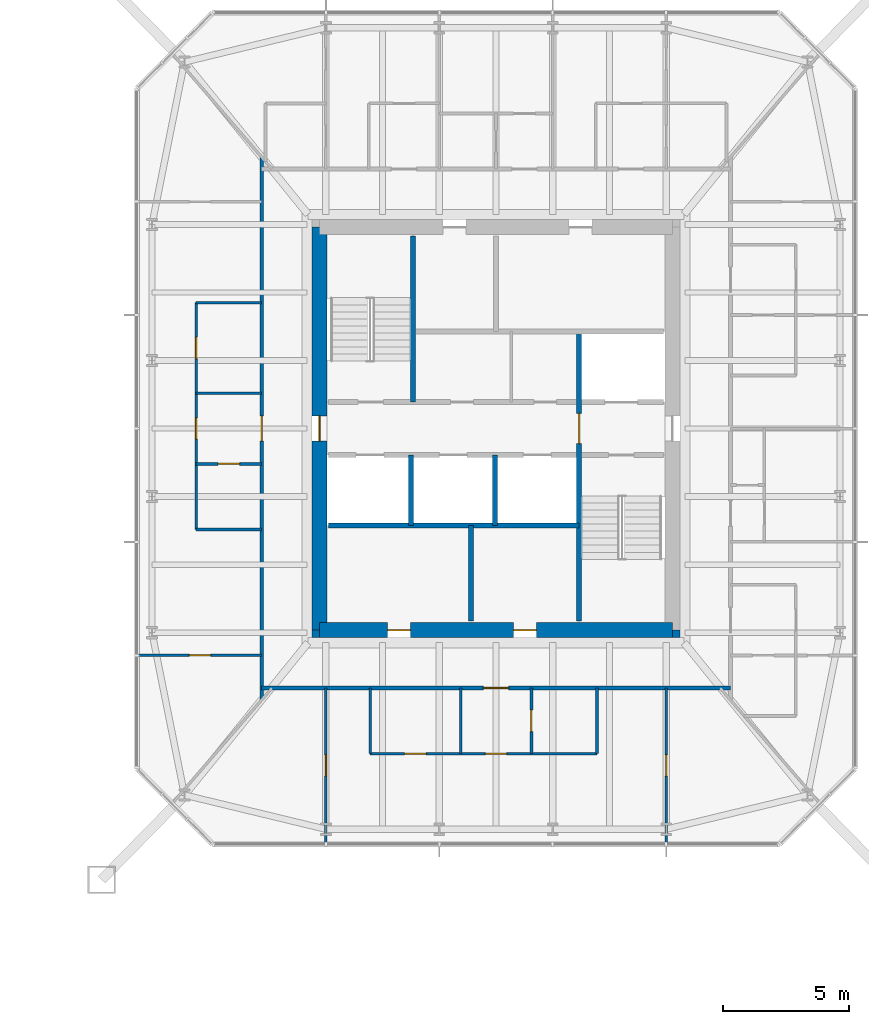
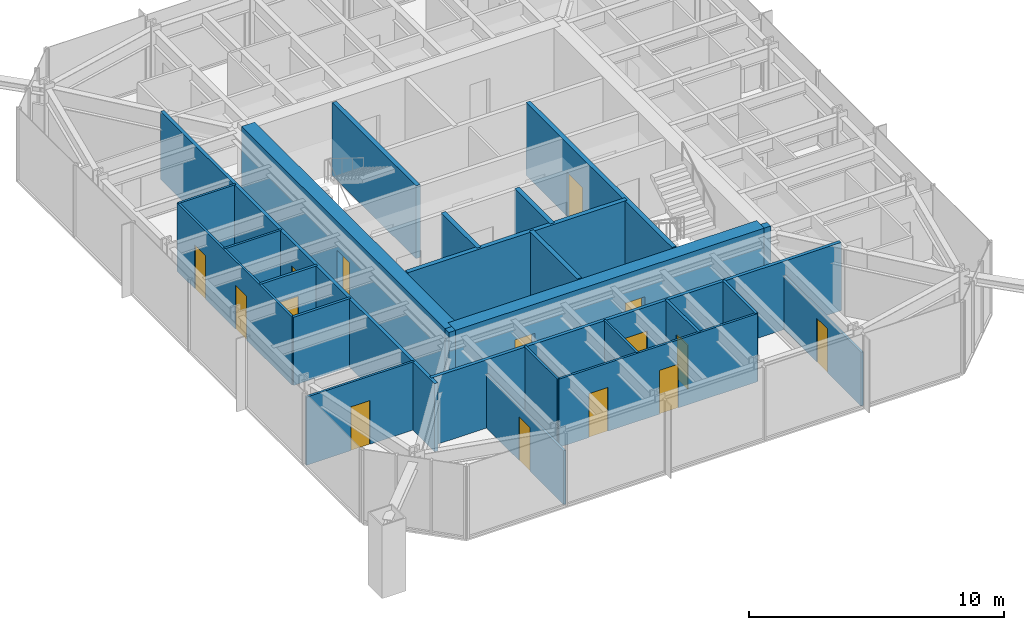
# One storey, part 19 of 27: 25 walls, 15 doors, 15 openings.
"""IFC4 building model written with IfcOpenShell, lengths in metres."""

from ifc_helpers import new_model, si_unit, direction, frame, frame_2d, origin, place, context, subcontext, project, spatial, rectangle, extrude, material, layer, layer_set, type_object, element, fill, save


model = new_model("IFC4")

# Units and contexts
model_context = context("Model", 3, precision=1e-05, world=origin(), true_north=direction((0.0, 1.0)))
body_context = subcontext(model_context, "Body", "Model", "MODEL_VIEW")
ifc_project = project(units=[si_unit("LENGTHUNIT", "METRE"), si_unit("AREAUNIT", "SQUARE_METRE"), si_unit("VOLUMEUNIT", "CUBIC_METRE"), si_unit("PLANEANGLEUNIT", "RADIAN"), si_unit("MASSUNIT", "GRAM", prefix="KILO")], contexts=[model_context])

# Site, building, storey
site_placement = place(None, origin())
site = spatial("IfcSite", under=ifc_project, at=site_placement, CompositionType="ELEMENT")
building_placement = place(site_placement, origin())
building = spatial("IfcBuilding", under=site, at=building_placement, Name="Iwan Alto Co-Living Towers", CompositionType="ELEMENT")
storey_placement = place(building_placement, frame((0.0, 0.0, 91.0)))
storey = spatial("IfcBuildingStorey", under=building, at=storey_placement, Name="L24", CompositionType="ELEMENT", Elevation=91.0)

# Wall, opening, door
ifc_material_1 = material(Name="Gypsum board")
ifc_layer_1 = layer(ifc_material_1, 0.02490234375, Name="Board", Category="Finish")
ifc_material_2 = material(Name="Steel ASTM A1003 ST33H cold-formed studs", Category="steel")
ifc_layer_2 = layer(ifc_material_2, 0.10009765625, Name="Studs", Category="Framing")
ifc_layer_3 = layer(ifc_material_1, 0.02490234375, Name="Board", Category="Finish")
ifc_layer_set_1 = layer_set([ifc_layer_1, ifc_layer_2, ifc_layer_3], Name="CORRIDOR WALL 150")
wall_type_1 = type_object("IfcWallType", Name="CORRIDOR WALL 150", PredefinedType="PARTITIONING", material=ifc_layer_set_1)
wall_1_placement = place(storey_placement, frame((53.699951171875, -10.300048828125, 0.0), z_axis=(0.0, 0.0, 1.0), x_axis=(1.0, 0.0, 0.0)))
wall_1 = element("IfcWall", 1, at=wall_1_placement, inside=storey, type_object=wall_type_1, Name="Partition L24", PredefinedType="PARTITIONING", context=body_context, shape_type="SweptSolid", body=[
    extrude(rectangle(XDim=18.60009765625, YDim=0.14990234375, at=frame_2d((9.300048828125, 0.0))), origin(), (0.0, 0.0, 1.0), 3.27001953125),
])
opening_1_placement = place(wall_1_placement, frame((8.800048828125, 0.0, 0.0)))
opening_1 = element("IfcOpeningElement", 2, at=opening_1_placement, cuts=wall_1, Name="Opening D3", PredefinedType="OPENING", context=body_context, shape_type="SweptSolid", body=[
    extrude(rectangle(XDim=1.0, YDim=2.10009765625, at=frame_2d((0.5, 1.050048828125))), frame((0.0, 0.0849609375, 0.0), z_axis=(0.0, -1.0, 0.0), x_axis=(1.0, 0.0, 0.0)), (0.0, 0.0, 1.0), 0.169921875),
])
ifc_material_3 = material(Name="Steel frame with timber leaf", Category="steel")
door_type_1 = type_object("IfcDoorType", Name="FLAT ENTRANCE DOOR FD30S 1000X2100", OperationType="SINGLE_SWING_LEFT", PredefinedType="DOOR", material=ifc_material_3)
door_1_placement = place(opening_1_placement, frame((1.0, 0.0, 0.0), z_axis=(0.0, 0.0, 1.0), x_axis=(-1.0, 0.0, 0.0)))
door_1 = element("IfcDoor", 3, at=door_1_placement, inside=storey, type_object=door_type_1, Name="Apartment foyer door L24", OperationType="SINGLE_SWING_RIGHT", OverallHeight=2.10009765625, OverallWidth=1.0, PredefinedType="DOOR", context=body_context, shape_type="SweptSolid", body=[
    extrude(rectangle(XDim=1.0, YDim=2.10009765625, at=frame_2d((0.5, 1.050048828125))), frame((0.0, 0.02490234375, 0.0), z_axis=(0.0, -1.0, 0.0), x_axis=(1.0, 0.0, 0.0)), (0.0, 0.0, 1.0), 0.050048828125),
])
fill(opening_1, door_1)

wall_2_placement = place(storey_placement, frame((53.699951171875, -10.76806640625, 0.0), z_axis=(0.0, 0.0, 1.0), x_axis=(0.0, 1.0, 0.0)))
wall_2 = element("IfcWall", 4, at=wall_2_placement, inside=storey, type_object=wall_type_1, Name="Partition L24", PredefinedType="PARTITIONING", context=body_context, shape_type="SweptSolid", body=[
    extrude(rectangle(XDim=21.5361328125, YDim=0.14990234375, at=frame_2d((10.76806640625, 0.0))), origin(), (0.0, 0.0, 1.0), 3.27001953125),
])
opening_2_placement = place(wall_2_placement, frame((10.26806640625, 0.0, 0.0)))
opening_2 = element("IfcOpeningElement", 5, at=opening_2_placement, cuts=wall_2, Name="Opening D3", PredefinedType="OPENING", context=body_context, shape_type="SweptSolid", body=[
    extrude(rectangle(XDim=1.0, YDim=2.10009765625, at=frame_2d((0.5, 1.050048828125))), frame((0.0, 0.0849609375, 0.0), z_axis=(0.0, -1.0, 0.0), x_axis=(1.0, 0.0, 0.0)), (0.0, 0.0, 1.0), 0.169921875),
])
door_2_placement = place(opening_2_placement, origin())
door_2 = element("IfcDoor", 6, at=door_2_placement, inside=storey, type_object=door_type_1, Name="Apartment foyer door L24", OperationType="SINGLE_SWING_LEFT", OverallHeight=2.10009765625, OverallWidth=1.0, PredefinedType="DOOR", context=body_context, shape_type="SweptSolid", body=[
    extrude(rectangle(XDim=1.0, YDim=2.10009765625, at=frame_2d((0.5, 1.050048828125))), frame((0.0, 0.02490234375, 0.0), z_axis=(0.0, -1.0, 0.0), x_axis=(1.0, 0.0, 0.0)), (0.0, 0.0, 1.0), 0.050048828125),
])
fill(opening_2, door_2)

# Wall, openings, doors
ifc_layer_4 = layer(ifc_material_1, 0.012451171875, Name="Board", Category="Finish")
ifc_layer_5 = layer(ifc_material_2, 0.074951171875, Name="Studs", Category="Framing")
ifc_layer_6 = layer(ifc_material_1, 0.012451171875, Name="Board", Category="Finish")
ifc_layer_set_2 = layer_set([ifc_layer_4, ifc_layer_5, ifc_layer_6], Name="PARTITION 100")
wall_type_2 = type_object("IfcWallType", Name="PARTITION 100", PredefinedType="PARTITIONING", material=ifc_layer_set_2)
wall_3_placement = place(storey_placement, frame((58.0, -12.89990234375, 0.0), z_axis=(0.0, 0.0, 1.0), x_axis=(1.0, 0.0, 0.0)))
wall_3 = element("IfcWall", 7, at=wall_3_placement, inside=storey, type_object=wall_type_2, Name="Partition L24", PredefinedType="PARTITIONING", context=body_context, shape_type="SweptSolid", body=[
    extrude(rectangle(XDim=9.0, YDim=0.10009765625, at=frame_2d((4.5, 0.0))), origin(), (0.0, 0.0, 1.0), 3.27001953125),
])
opening_3_placement = place(wall_3_placement, frame((1.375, 0.0, 0.0)))
opening_3 = element("IfcOpeningElement", 8, at=opening_3_placement, cuts=wall_3, Name="Opening D2", PredefinedType="OPENING", context=body_context, shape_type="SweptSolid", body=[
    extrude(rectangle(XDim=0.85009765625, YDim=2.10009765625, at=frame_2d((0.425048828125, 1.050048828125))), frame((0.0, 0.06005859375, 0.0), z_axis=(0.0, -1.0, 0.0), x_axis=(1.0, 0.0, 0.0)), (0.0, 0.0, 1.0), 0.1201171875),
])
opening_4_placement = place(wall_3_placement, frame((4.574951171875, 0.0, 0.0)))
opening_4 = element("IfcOpeningElement", 9, at=opening_4_placement, cuts=wall_3, Name="Opening D2", PredefinedType="OPENING", context=body_context, shape_type="SweptSolid", body=[
    extrude(rectangle(XDim=0.85009765625, YDim=2.10009765625, at=frame_2d((0.425048828125, 1.050048828125))), frame((0.0, 0.06005859375, 0.0), z_axis=(0.0, -1.0, 0.0), x_axis=(1.0, 0.0, 0.0)), (0.0, 0.0, 1.0), 0.1201171875),
])
ifc_material_4 = material(Name="Timber leaf in steel frame", Category="steel")
door_type_2 = type_object("IfcDoorType", Name="ROOM DOOR 850X2100", OperationType="SINGLE_SWING_LEFT", PredefinedType="DOOR", material=ifc_material_4)
door_3_placement = place(opening_3_placement, frame((0.85009765625, 0.0, 0.0), z_axis=(0.0, 0.0, 1.0), x_axis=(-1.0, 0.0, 0.0)))
door_3 = element("IfcDoor", 10, at=door_3_placement, inside=storey, type_object=door_type_2, Name="Kitchen door L24", OperationType="SINGLE_SWING_RIGHT", OverallHeight=2.10009765625, OverallWidth=0.85009765625, PredefinedType="DOOR", context=body_context, shape_type="SweptSolid", body=[
    extrude(rectangle(XDim=0.85009765625, YDim=2.10009765625, at=frame_2d((0.425048828125, 1.050048828125))), frame((0.0, 0.02490234375, 0.0), z_axis=(0.0, -1.0, 0.0), x_axis=(1.0, 0.0, 0.0)), (0.0, 0.0, 1.0), 0.050048828125),
])
fill(opening_3, door_3)
door_4_placement = place(opening_4_placement, frame((0.85009765625, 0.0, 0.0), z_axis=(0.0, 0.0, 1.0), x_axis=(-1.0, 0.0, 0.0)))
door_4 = element("IfcDoor", 11, at=door_4_placement, inside=storey, type_object=door_type_2, Name="Apartment foyer door L24", OperationType="SINGLE_SWING_RIGHT", OverallHeight=2.10009765625, OverallWidth=0.85009765625, PredefinedType="DOOR", context=body_context, shape_type="SweptSolid", body=[
    extrude(rectangle(XDim=0.85009765625, YDim=2.10009765625, at=frame_2d((0.425048828125, 1.050048828125))), frame((0.0, 0.02490234375, 0.0), z_axis=(0.0, -1.0, 0.0), x_axis=(1.0, 0.0, 0.0)), (0.0, 0.0, 1.0), 0.050048828125),
])
fill(opening_4, door_4)

# Wall, opening, door
wall_4_placement = place(storey_placement, frame((48.81005859375, -9.0, 0.0), z_axis=(0.0, 0.0, 1.0), x_axis=(1.0, 0.0, 0.0)))
wall_4 = element("IfcWall", 12, at=wall_4_placement, inside=storey, type_object=wall_type_2, Name="Partition L24", PredefinedType="PARTITIONING", context=body_context, shape_type="SweptSolid", body=[
    extrude(rectangle(XDim=4.889892578125, YDim=0.10009765625, at=frame_2d((2.44482421875, 0.0))), origin(), (0.0, 0.0, 1.0), 3.27001953125),
])
opening_5_placement = place(wall_4_placement, frame((2.02001953125, 0.0, 0.0)))
opening_5 = element("IfcOpeningElement", 13, at=opening_5_placement, cuts=wall_4, Name="Opening D2", PredefinedType="OPENING", context=body_context, shape_type="SweptSolid", body=[
    extrude(rectangle(XDim=0.85009765625, YDim=2.10009765625, at=frame_2d((0.425048828125, 1.050048828125))), frame((0.0, 0.06005859375, 0.0), z_axis=(0.0, -1.0, 0.0), x_axis=(1.0, 0.0, 0.0)), (0.0, 0.0, 1.0), 0.1201171875),
])
door_5_placement = place(opening_5_placement, origin())
door_5 = element("IfcDoor", 14, at=door_5_placement, inside=storey, type_object=door_type_2, Name="Bedroom door L24", OperationType="SINGLE_SWING_RIGHT", OverallHeight=2.10009765625, OverallWidth=0.85009765625, PredefinedType="DOOR", context=body_context, shape_type="SweptSolid", body=[
    extrude(rectangle(XDim=0.85009765625, YDim=2.10009765625, at=frame_2d((0.425048828125, 1.050048828125))), frame((0.0, 0.02490234375, 0.0), z_axis=(0.0, -1.0, 0.0), x_axis=(1.0, 0.0, 0.0)), (0.0, 0.0, 1.0), 0.050048828125),
])
fill(opening_5, door_5)

# Walls
for number, where, z_axis, x_axis, name in (
    (15, (51.10009765625, 1.39990234375, 0.0), (0.0, 0.0, 1.0), (1.0, 0.0, 0.0), "Partition L24"),
    (16, (51.10009765625, 5.0, 0.0), (0.0, 0.0, 1.0), (1.0, 0.0, 0.0), "Partition L24"),
):
    element("IfcWall", number, at=place(storey_placement, frame(where, z_axis=z_axis, x_axis=x_axis)), inside=storey, type_object=wall_type_2, Name=name, PredefinedType="PARTITIONING", context=body_context, shape_type="SweptSolid", body=[
        extrude(rectangle(XDim=2.599853515625, YDim=0.10009765625, at=frame_2d((1.2998046875, 0.0))), origin(), (0.0, 0.0, 1.0), 3.27001953125),
    ])

# Wall, opening, door
wall_5_placement = place(storey_placement, frame((69.75, -16.43994140625, 0.0), z_axis=(0.0, 0.0, 1.0), x_axis=(0.0, 1.0, 0.0)))
wall_5 = element("IfcWall", 17, at=wall_5_placement, inside=storey, type_object=wall_type_2, Name="Partition L24", PredefinedType="PARTITIONING", context=body_context, shape_type="SweptSolid", body=[
    extrude(rectangle(XDim=6.139892578125, YDim=0.10009765625, at=frame_2d((3.06982421875, 0.0))), origin(), (0.0, 0.0, 1.0), 2.586669921875),
])
opening_6_placement = place(wall_5_placement, frame((2.64501953125, 0.0, 0.0)))
opening_6 = element("IfcOpeningElement", 18, at=opening_6_placement, cuts=wall_5, Name="Opening D2", PredefinedType="OPENING", context=body_context, shape_type="SweptSolid", body=[
    extrude(rectangle(XDim=0.85009765625, YDim=2.10009765625, at=frame_2d((0.425048828125, 1.050048828125))), frame((0.0, 0.06005859375, 0.0), z_axis=(0.0, -1.0, 0.0), x_axis=(1.0, 0.0, 0.0)), (0.0, 0.0, 1.0), 0.1201171875),
])
door_6_placement = place(opening_6_placement, origin())
door_6 = element("IfcDoor", 19, at=door_6_placement, inside=storey, type_object=door_type_2, Name="Bedroom door L24", OperationType="SINGLE_SWING_RIGHT", OverallHeight=2.10009765625, OverallWidth=0.85009765625, PredefinedType="DOOR", context=body_context, shape_type="SweptSolid", body=[
    extrude(rectangle(XDim=0.85009765625, YDim=2.10009765625, at=frame_2d((0.425048828125, 1.050048828125))), frame((0.0, 0.02490234375, 0.0), z_axis=(0.0, -1.0, 0.0), x_axis=(1.0, 0.0, 0.0)), (0.0, 0.0, 1.0), 0.050048828125),
])
fill(opening_6, door_6)

# Walls
for number, where, z_axis, x_axis, name in (
    (20, (61.60009765625, -12.89990234375, 0.0), (0.0, 0.0, 1.0), (0.0, 1.0, 0.0), "Partition L24"),
    (21, (58.0, -12.89990234375, 0.0), (0.0, 0.0, 1.0), (0.0, 1.0, 0.0), "Partition L24"),
):
    element("IfcWall", number, at=place(storey_placement, frame(where, z_axis=z_axis, x_axis=x_axis)), inside=storey, type_object=wall_type_2, Name=name, PredefinedType="PARTITIONING", context=body_context, shape_type="SweptSolid", body=[
        extrude(rectangle(XDim=2.599853515625, YDim=0.10009765625, at=frame_2d((1.2998046875, 0.0))), origin(), (0.0, 0.0, 1.0), 3.27001953125),
    ])

# Wall, opening, door
wall_6_placement = place(storey_placement, frame((56.25, -16.43994140625, 0.0), z_axis=(0.0, 0.0, 1.0), x_axis=(0.0, 1.0, 0.0)))
wall_6 = element("IfcWall", 22, at=wall_6_placement, inside=storey, type_object=wall_type_2, Name="Partition L24", PredefinedType="PARTITIONING", context=body_context, shape_type="SweptSolid", body=[
    extrude(rectangle(XDim=6.139892578125, YDim=0.10009765625, at=frame_2d((3.06982421875, 0.0))), origin(), (0.0, 0.0, 1.0), 2.586669921875),
])
opening_7_placement = place(wall_6_placement, frame((2.64501953125, 0.0, 0.0)))
opening_7 = element("IfcOpeningElement", 23, at=opening_7_placement, cuts=wall_6, Name="Opening D2", PredefinedType="OPENING", context=body_context, shape_type="SweptSolid", body=[
    extrude(rectangle(XDim=0.85009765625, YDim=2.10009765625, at=frame_2d((0.425048828125, 1.050048828125))), frame((0.0, 0.06005859375, 0.0), z_axis=(0.0, -1.0, 0.0), x_axis=(1.0, 0.0, 0.0)), (0.0, 0.0, 1.0), 0.1201171875),
])
door_7_placement = place(opening_7_placement, frame((0.85009765625, 0.0, 0.0), z_axis=(0.0, 0.0, 1.0), x_axis=(-1.0, 0.0, 0.0)))
door_7 = element("IfcDoor", 24, at=door_7_placement, inside=storey, type_object=door_type_2, Name="Bedroom door L24", OperationType="SINGLE_SWING_LEFT", OverallHeight=2.10009765625, OverallWidth=0.85009765625, PredefinedType="DOOR", context=body_context, shape_type="SweptSolid", body=[
    extrude(rectangle(XDim=0.85009765625, YDim=2.10009765625, at=frame_2d((0.425048828125, 1.050048828125))), frame((0.0, 0.02490234375, 0.0), z_axis=(0.0, -1.0, 0.0), x_axis=(1.0, 0.0, 0.0)), (0.0, 0.0, 1.0), 0.050048828125),
])
fill(opening_7, door_7)

# Wall, openings, doors
wall_7_placement = place(storey_placement, frame((51.10009765625, -4.0, 0.0), z_axis=(0.0, 0.0, 1.0), x_axis=(0.0, 1.0, 0.0)))
wall_7 = element("IfcWall", 25, at=wall_7_placement, inside=storey, type_object=wall_type_2, Name="Partition L24", PredefinedType="PARTITIONING", context=body_context, shape_type="SweptSolid", body=[
    extrude(rectangle(XDim=9.0, YDim=0.10009765625, at=frame_2d((4.5, 0.0))), origin(), (0.0, 0.0, 1.0), 3.27001953125),
])
opening_8_placement = place(wall_7_placement, frame((6.77490234375, 0.0, 0.0)))
opening_8 = element("IfcOpeningElement", 26, at=opening_8_placement, cuts=wall_7, Name="Opening D2", PredefinedType="OPENING", context=body_context, shape_type="SweptSolid", body=[
    extrude(rectangle(XDim=0.85009765625, YDim=2.10009765625, at=frame_2d((0.425048828125, 1.050048828125))), frame((0.0, 0.06005859375, 0.0), z_axis=(0.0, -1.0, 0.0), x_axis=(1.0, 0.0, 0.0)), (0.0, 0.0, 1.0), 0.1201171875),
])
opening_9_placement = place(wall_7_placement, frame((3.574951171875, 0.0, 0.0)))
opening_9 = element("IfcOpeningElement", 27, at=opening_9_placement, cuts=wall_7, Name="Opening D2", PredefinedType="OPENING", context=body_context, shape_type="SweptSolid", body=[
    extrude(rectangle(XDim=0.85009765625, YDim=2.10009765625, at=frame_2d((0.425048828125, 1.050048828125))), frame((0.0, 0.06005859375, 0.0), z_axis=(0.0, -1.0, 0.0), x_axis=(1.0, 0.0, 0.0)), (0.0, 0.0, 1.0), 0.1201171875),
])
door_8_placement = place(opening_8_placement, origin())
door_8 = element("IfcDoor", 28, at=door_8_placement, inside=storey, type_object=door_type_2, Name="Kitchen door L24", OperationType="SINGLE_SWING_RIGHT", OverallHeight=2.10009765625, OverallWidth=0.85009765625, PredefinedType="DOOR", context=body_context, shape_type="SweptSolid", body=[
    extrude(rectangle(XDim=0.85009765625, YDim=2.10009765625, at=frame_2d((0.425048828125, 1.050048828125))), frame((0.0, 0.02490234375, 0.0), z_axis=(0.0, -1.0, 0.0), x_axis=(1.0, 0.0, 0.0)), (0.0, 0.0, 1.0), 0.050048828125),
])
fill(opening_8, door_8)
door_9_placement = place(opening_9_placement, origin())
door_9 = element("IfcDoor", 29, at=door_9_placement, inside=storey, type_object=door_type_2, Name="Apartment foyer door L24", OperationType="SINGLE_SWING_LEFT", OverallHeight=2.10009765625, OverallWidth=0.85009765625, PredefinedType="DOOR", context=body_context, shape_type="SweptSolid", body=[
    extrude(rectangle(XDim=0.85009765625, YDim=2.10009765625, at=frame_2d((0.425048828125, 1.050048828125))), frame((0.0, 0.02490234375, 0.0), z_axis=(0.0, -1.0, 0.0), x_axis=(1.0, 0.0, 0.0)), (0.0, 0.0, 1.0), 0.050048828125),
])
fill(opening_9, door_9)

# Wall
ifc_material_5 = material(Name="Concrete f'c 70 MPa", Category="concrete")
ifc_layer_7 = layer(ifc_material_5, 0.199951171875)
ifc_layer_set_3 = layer_set([ifc_layer_7], Name="SHAFT WALL 200")
wall_type_3 = type_object("IfcWallType", Name="SHAFT WALL 200", PredefinedType="SOLIDWALL", material=ifc_layer_set_3)
wall_8_placement = place(storey_placement, frame((56.360107421875, -3.85009765625, 0.0), z_axis=(0.0, 0.0, 1.0), x_axis=(1.0, 0.0, 0.0)))
element("IfcWall", 30, at=wall_8_placement, inside=storey, type_object=wall_type_3, Name="Shaft wall L24", PredefinedType="SOLIDWALL", context=body_context, shape_type="SweptSolid", body=[
    extrude(rectangle(XDim=9.93994140625, YDim=0.199951171875, at=frame_2d((4.969970703125, 0.0))), origin(), (0.0, 0.0, 1.0), 3.5),
])

# Wall, opening, door
wall_9_placement = place(storey_placement, frame((66.300048828125, -7.639892578125, 0.0), z_axis=(0.0, 0.0, 1.0), x_axis=(0.0, 1.0, 0.0)))
wall_9 = element("IfcWall", 31, at=wall_9_placement, inside=storey, type_object=wall_type_3, Name="Shaft wall L24", PredefinedType="SOLIDWALL", context=body_context, shape_type="SweptSolid", body=[
    extrude(rectangle(XDim=11.489990234375, YDim=0.199951171875, at=frame_2d((5.7451171875, 0.0))), origin(), (0.0, 0.0, 1.0), 3.5),
])
opening_10_placement = place(wall_9_placement, frame((7.0400390625, 0.0, 0.0)))
opening_10 = element("IfcOpeningElement", 32, at=opening_10_placement, cuts=wall_9, Name="Opening D6", PredefinedType="OPENING", context=body_context, shape_type="SweptSolid", body=[
    extrude(rectangle(XDim=1.199951171875, YDim=2.10009765625, at=frame_2d((0.60009765625, 1.050048828125))), frame((0.0, 0.10986328125, 0.0), z_axis=(0.0, -1.0, 0.0), x_axis=(1.0, 0.0, 0.0)), (0.0, 0.0, 1.0), 0.219970703125),
])
ifc_material_6 = material(Name="Steel frame with timber leaf", Category="steel")
door_type_3 = type_object("IfcDoorType", Name="LOBBY DOOR FD120S 1200X2100", OperationType="SINGLE_SWING_LEFT", PredefinedType="DOOR", material=ifc_material_6)
door_10_placement = place(opening_10_placement, frame((1.199951171875, 0.0, 0.0), z_axis=(0.0, 0.0, 1.0), x_axis=(-1.0, 0.0, 0.0)))
door_10 = element("IfcDoor", 33, at=door_10_placement, inside=storey, type_object=door_type_3, Name="Firefighting lobby door L24", OperationType="SINGLE_SWING_RIGHT", OverallHeight=2.10009765625, OverallWidth=1.199951171875, PredefinedType="DOOR", context=body_context, shape_type="SweptSolid", body=[
    extrude(rectangle(XDim=1.199951171875, YDim=2.10009765625, at=frame_2d((0.60009765625, 1.050048828125))), frame((0.0, 0.02490234375, 0.0), z_axis=(0.0, -1.0, 0.0), x_axis=(1.0, 0.0, 0.0)), (0.0, 0.0, 1.0), 0.050048828125),
])
fill(opening_10, door_10)

# Walls
wall_10_placement = place(storey_placement, frame((62.967041015625, -3.85009765625, 0.0), z_axis=(0.0, 0.0, 1.0), x_axis=(0.0, 1.0, 0.0)))
element("IfcWall", 34, at=wall_10_placement, inside=storey, type_object=wall_type_3, Name="Shaft wall L24", PredefinedType="SOLIDWALL", context=body_context, shape_type="SweptSolid", body=[
    extrude(rectangle(XDim=2.800048828125, YDim=0.199951171875, at=frame_2d((1.39990234375, 0.0))), origin(), (0.0, 0.0, 1.0), 3.5),
])
wall_11_placement = place(storey_placement, frame((62.0, -7.639892578125, 0.0), z_axis=(0.0, 0.0, 1.0), x_axis=(0.0, 1.0, 0.0)))
element("IfcWall", 35, at=wall_11_placement, inside=storey, type_object=wall_type_3, Name="Shaft wall L24", PredefinedType="SOLIDWALL", context=body_context, shape_type="SweptSolid", body=[
    extrude(rectangle(XDim=3.789794921875, YDim=0.199951171875, at=frame_2d((1.89501953125, 0.0))), origin(), (0.0, 0.0, 1.0), 3.5),
])
wall_12_placement = place(storey_placement, frame((59.699951171875, 1.050048828125, 0.0), z_axis=(0.0, 0.0, 1.0), x_axis=(0.0, 1.0, 0.0)))
element("IfcWall", 36, at=wall_12_placement, inside=storey, type_object=wall_type_3, Name="Shaft wall L24", PredefinedType="SOLIDWALL", context=body_context, shape_type="SweptSolid", body=[
    extrude(rectangle(XDim=6.58984375, YDim=0.199951171875, at=frame_2d((3.294921875, 0.0))), origin(), (0.0, 0.0, 1.0), 3.5),
])
wall_13_placement = place(storey_placement, frame((59.633056640625, -3.85009765625, 0.0), z_axis=(0.0, 0.0, 1.0), x_axis=(0.0, 1.0, 0.0)))
element("IfcWall", 37, at=wall_13_placement, inside=storey, type_object=wall_type_3, Name="Shaft wall L24", PredefinedType="SOLIDWALL", context=body_context, shape_type="SweptSolid", body=[
    extrude(rectangle(XDim=2.800048828125, YDim=0.199951171875, at=frame_2d((1.39990234375, 0.0))), origin(), (0.0, 0.0, 1.0), 3.5),
])
ifc_material_7 = material(Name="Concrete f'c 70 MPa", Category="concrete")
ifc_layer_8 = layer(ifc_material_7, 0.300048828125)
ifc_layer_set_4 = layer_set([ifc_layer_8], Name="T2 CORE CORNER FILL 300")
wall_type_4 = type_object("IfcWallType", Name="T2 CORE CORNER FILL 300", PredefinedType="SOLIDWALL", material=ifc_layer_set_4)
for number, where, z_axis, x_axis, name in (
    (38, (55.699951171875, -8.14990234375, 0.0), (0.0, 0.0, 1.0), (1.0, 0.0, 0.0), "T2 core corner SW L24"),
    (39, (70.0, -8.14990234375, 0.0), (0.0, 0.0, 1.0), (1.0, 0.0, 0.0), "T2 core corner SE L24"),
):
    element("IfcWall", number, at=place(storey_placement, frame(where, z_axis=z_axis, x_axis=x_axis)), inside=storey, type_object=wall_type_4, Name=name, PredefinedType="SOLIDWALL", context=body_context, shape_type="SweptSolid", body=[
        extrude(rectangle(XDim=0.300048828125, YDim=0.300048828125, at=frame_2d((0.14990234375, 0.0))), origin(), (0.0, 0.0, 1.0), 3.5),
    ])

# Wall, openings, doors
ifc_material_8 = material(Name="Concrete f'c 70 MPa", Category="concrete")
ifc_layer_9 = layer(ifc_material_8, 0.60009765625)
ifc_layer_set_5 = layer_set([ifc_layer_9], Name="T2 CORE WALL 600")
wall_type_5 = type_object("IfcWallType", Name="T2 CORE WALL 600", PredefinedType="SHEAR", material=ifc_layer_set_5)
wall_14_placement = place(storey_placement, frame((56.0, -8.0, 0.0), z_axis=(0.0, 0.0, 1.0), x_axis=(1.0, 0.0, 0.0)))
wall_14 = element("IfcWall", 40, at=wall_14_placement, inside=storey, type_object=wall_type_5, Name="T2 core wall S L24", PredefinedType="SHEAR", context=body_context, shape_type="SweptSolid", body=[
    extrude(rectangle(XDim=14.0, YDim=0.60009765625, at=frame_2d((7.0, 0.0))), origin(), (0.0, 0.0, 1.0), 3.5),
])
opening_11_placement = place(wall_14_placement, frame((2.699951171875, 0.0, 0.0)))
opening_11 = element("IfcOpeningElement", 41, at=opening_11_placement, cuts=wall_14, Name="Opening D8", PredefinedType="OPENING", context=body_context, shape_type="SweptSolid", body=[
    extrude(rectangle(XDim=0.89990234375, YDim=2.10009765625, at=frame_2d((0.449951171875, 1.050048828125))), frame((0.0, 0.31005859375, 0.0), z_axis=(0.0, -1.0, 0.0), x_axis=(1.0, 0.0, 0.0)), (0.0, 0.0, 1.0), 0.6201171875),
])
opening_12_placement = place(wall_14_placement, frame((7.699951171875, 0.0, 0.0)))
opening_12 = element("IfcOpeningElement", 42, at=opening_12_placement, cuts=wall_14, Name="Opening D8", PredefinedType="OPENING", context=body_context, shape_type="SweptSolid", body=[
    extrude(rectangle(XDim=0.89990234375, YDim=2.10009765625, at=frame_2d((0.449951171875, 1.050048828125))), frame((0.0, 0.31005859375, 0.0), z_axis=(0.0, -1.0, 0.0), x_axis=(1.0, 0.0, 0.0)), (0.0, 0.0, 1.0), 0.6201171875),
])
ifc_material_9 = material(Name="Steel frame with timber leaf", Category="steel")
door_type_4 = type_object("IfcDoorType", Name="RISER DOOR FD120 900X2100", OperationType="SINGLE_SWING_LEFT", PredefinedType="DOOR", material=ifc_material_9)
door_11_placement = place(opening_11_placement, origin())
door_11 = element("IfcDoor", 43, at=door_11_placement, inside=storey, type_object=door_type_4, Name="Refuse room core door L24", OperationType="SINGLE_SWING_LEFT", OverallHeight=2.10009765625, OverallWidth=0.89990234375, PredefinedType="DOOR", context=body_context, shape_type="SweptSolid", body=[
    extrude(rectangle(XDim=0.89990234375, YDim=2.10009765625, at=frame_2d((0.449951171875, 1.050048828125))), frame((0.0, 0.02490234375, 0.0), z_axis=(0.0, -1.0, 0.0), x_axis=(1.0, 0.0, 0.0)), (0.0, 0.0, 1.0), 0.050048828125),
])
fill(opening_11, door_11)
door_12_placement = place(opening_12_placement, origin())
door_12 = element("IfcDoor", 44, at=door_12_placement, inside=storey, type_object=door_type_4, Name="Telecom riser core door L24", OperationType="SINGLE_SWING_LEFT", OverallHeight=2.10009765625, OverallWidth=0.89990234375, PredefinedType="DOOR", context=body_context, shape_type="SweptSolid", body=[
    extrude(rectangle(XDim=0.89990234375, YDim=2.10009765625, at=frame_2d((0.449951171875, 1.050048828125))), frame((0.0, 0.02490234375, 0.0), z_axis=(0.0, -1.0, 0.0), x_axis=(1.0, 0.0, 0.0)), (0.0, 0.0, 1.0), 0.050048828125),
])
fill(opening_12, door_12)

# Wall, opening, door
wall_15_placement = place(storey_placement, frame((56.0, 8.0, 0.0), z_axis=(0.0, 0.0, 1.0), x_axis=(0.0, -1.0, 0.0)))
wall_15 = element("IfcWall", 45, at=wall_15_placement, inside=storey, type_object=wall_type_5, Name="T2 core wall W L24", PredefinedType="SHEAR", context=body_context, shape_type="SweptSolid", body=[
    extrude(rectangle(XDim=16.0, YDim=0.60009765625, at=frame_2d((8.0, 0.0))), origin(), (0.0, 0.0, 1.0), 3.5),
])
opening_13_placement = place(wall_15_placement, frame((7.5, 0.0, 0.0)))
opening_13 = element("IfcOpeningElement", 46, at=opening_13_placement, cuts=wall_15, Name="Opening D7", PredefinedType="OPENING", context=body_context, shape_type="SweptSolid", body=[
    extrude(rectangle(XDim=1.0, YDim=2.10009765625, at=frame_2d((0.5, 1.050048828125))), frame((0.0, 0.31005859375, 0.0), z_axis=(0.0, -1.0, 0.0), x_axis=(1.0, 0.0, 0.0)), (0.0, 0.0, 1.0), 0.6201171875),
])
ifc_material_10 = material(Name="Steel frame with timber leaf", Category="steel")
door_type_5 = type_object("IfcDoorType", Name="CORE DOOR FD120S 1000X2100", OperationType="SINGLE_SWING_LEFT", PredefinedType="DOOR", material=ifc_material_10)
door_13_placement = place(opening_13_placement, origin())
door_13 = element("IfcDoor", 47, at=door_13_placement, inside=storey, type_object=door_type_5, Name="Lift lobby core door L24", OperationType="SINGLE_SWING_RIGHT", OverallHeight=2.10009765625, OverallWidth=1.0, PredefinedType="DOOR", context=body_context, shape_type="SweptSolid", body=[
    extrude(rectangle(XDim=1.0, YDim=2.10009765625, at=frame_2d((0.5, 1.050048828125))), frame((0.0, 0.02490234375, 0.0), z_axis=(0.0, -1.0, 0.0), x_axis=(1.0, 0.0, 0.0)), (0.0, 0.0, 1.0), 0.050048828125),
])
fill(opening_13, door_13)

# Wall
ifc_material_11 = material(Name="Cement board")
ifc_layer_10 = layer(ifc_material_11, 0.012451171875, Name="Board", Category="Finish")
ifc_layer_11 = layer(ifc_material_2, 0.094970703125, Name="Studs", Category="Framing")
ifc_layer_12 = layer(ifc_material_11, 0.012451171875, Name="Board", Category="Finish")
ifc_layer_set_6 = layer_set([ifc_layer_10, ifc_layer_11, ifc_layer_12], Name="WET AREA PARTITION 120")
wall_type_6 = type_object("IfcWallType", Name="WET AREA PARTITION 120", PredefinedType="PARTITIONING", material=ifc_layer_set_6)
wall_16_placement = place(storey_placement, frame((51.10009765625, -4.0, 0.0), z_axis=(0.0, 0.0, 1.0), x_axis=(1.0, 0.0, 0.0)))
element("IfcWall", 48, at=wall_16_placement, inside=storey, type_object=wall_type_6, Name="Partition L24", PredefinedType="PARTITIONING", context=body_context, shape_type="SweptSolid", body=[
    extrude(rectangle(XDim=2.599853515625, YDim=0.1201171875, at=frame_2d((1.2998046875, 0.0))), origin(), (0.0, 0.0, 1.0), 3.27001953125),
])

# Wall, opening, door
wall_17_placement = place(storey_placement, frame((51.10009765625, -1.39990234375, 0.0), z_axis=(0.0, 0.0, 1.0), x_axis=(1.0, 0.0, 0.0)))
wall_17 = element("IfcWall", 49, at=wall_17_placement, inside=storey, type_object=wall_type_6, Name="Partition L24", PredefinedType="PARTITIONING", context=body_context, shape_type="SweptSolid", body=[
    extrude(rectangle(XDim=2.599853515625, YDim=0.1201171875, at=frame_2d((1.2998046875, 0.0))), origin(), (0.0, 0.0, 1.0), 3.27001953125),
])
opening_14_placement = place(wall_17_placement, frame((0.875, 0.0, 0.0)))
opening_14 = element("IfcOpeningElement", 50, at=opening_14_placement, cuts=wall_17, Name="Opening D2", PredefinedType="OPENING", context=body_context, shape_type="SweptSolid", body=[
    extrude(rectangle(XDim=0.85009765625, YDim=2.10009765625, at=frame_2d((0.425048828125, 1.050048828125))), frame((0.0, 0.070068359375, 0.0), z_axis=(0.0, -1.0, 0.0), x_axis=(1.0, 0.0, 0.0)), (0.0, 0.0, 1.0), 0.14013671875),
])
door_14_placement = place(opening_14_placement, frame((0.85009765625, 0.0, 0.0), z_axis=(0.0, 0.0, 1.0), x_axis=(-1.0, 0.0, 0.0)))
door_14 = element("IfcDoor", 51, at=door_14_placement, inside=storey, type_object=door_type_2, Name="Bathroom door L24", OperationType="SINGLE_SWING_RIGHT", OverallHeight=2.10009765625, OverallWidth=0.85009765625, PredefinedType="DOOR", context=body_context, shape_type="SweptSolid", body=[
    extrude(rectangle(XDim=0.85009765625, YDim=2.10009765625, at=frame_2d((0.425048828125, 1.050048828125))), frame((0.0, 0.02490234375, 0.0), z_axis=(0.0, -1.0, 0.0), x_axis=(1.0, 0.0, 0.0)), (0.0, 0.0, 1.0), 0.050048828125),
])
fill(opening_14, door_14)

# Wall
wall_18_placement = place(storey_placement, frame((67.0, -12.89990234375, 0.0), z_axis=(0.0, 0.0, 1.0), x_axis=(0.0, 1.0, 0.0)))
element("IfcWall", 52, at=wall_18_placement, inside=storey, type_object=wall_type_6, Name="Partition L24", PredefinedType="PARTITIONING", context=body_context, shape_type="SweptSolid", body=[
    extrude(rectangle(XDim=2.599853515625, YDim=0.1201171875, at=frame_2d((1.2998046875, 0.0))), origin(), (0.0, 0.0, 1.0), 3.27001953125),
])

# Wall, opening, door
wall_19_placement = place(storey_placement, frame((64.39990234375, -12.89990234375, 0.0), z_axis=(0.0, 0.0, 1.0), x_axis=(0.0, 1.0, 0.0)))
wall_19 = element("IfcWall", 53, at=wall_19_placement, inside=storey, type_object=wall_type_6, Name="Partition L24", PredefinedType="PARTITIONING", context=body_context, shape_type="SweptSolid", body=[
    extrude(rectangle(XDim=2.599853515625, YDim=0.1201171875, at=frame_2d((1.2998046875, 0.0))), origin(), (0.0, 0.0, 1.0), 3.27001953125),
])
opening_15_placement = place(wall_19_placement, frame((0.875, 0.0, 0.0)))
opening_15 = element("IfcOpeningElement", 54, at=opening_15_placement, cuts=wall_19, Name="Opening D2", PredefinedType="OPENING", context=body_context, shape_type="SweptSolid", body=[
    extrude(rectangle(XDim=0.85009765625, YDim=2.10009765625, at=frame_2d((0.425048828125, 1.050048828125))), frame((0.0, 0.070068359375, 0.0), z_axis=(0.0, -1.0, 0.0), x_axis=(1.0, 0.0, 0.0)), (0.0, 0.0, 1.0), 0.14013671875),
])
door_15_placement = place(opening_15_placement, frame((0.85009765625, 0.0, 0.0), z_axis=(0.0, 0.0, 1.0), x_axis=(-1.0, 0.0, 0.0)))
door_15 = element("IfcDoor", 55, at=door_15_placement, inside=storey, type_object=door_type_2, Name="Bathroom door L24", OperationType="SINGLE_SWING_RIGHT", OverallHeight=2.10009765625, OverallWidth=0.85009765625, PredefinedType="DOOR", context=body_context, shape_type="SweptSolid", body=[
    extrude(rectangle(XDim=0.85009765625, YDim=2.10009765625, at=frame_2d((0.425048828125, 1.050048828125))), frame((0.0, 0.02490234375, 0.0), z_axis=(0.0, -1.0, 0.0), x_axis=(1.0, 0.0, 0.0)), (0.0, 0.0, 1.0), 0.050048828125),
])
fill(opening_15, door_15)

save(model, "model.ifc")
